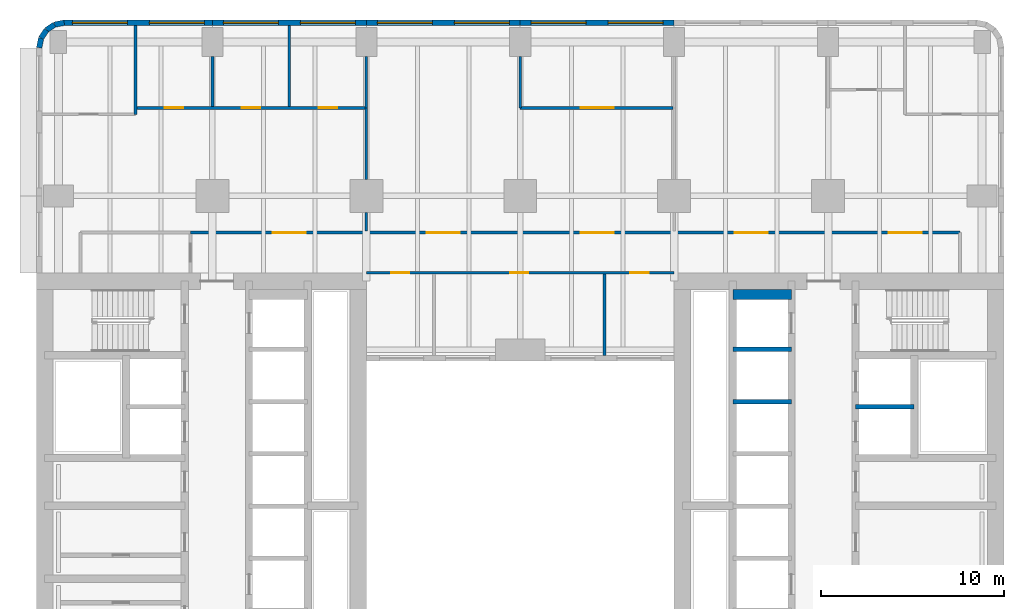
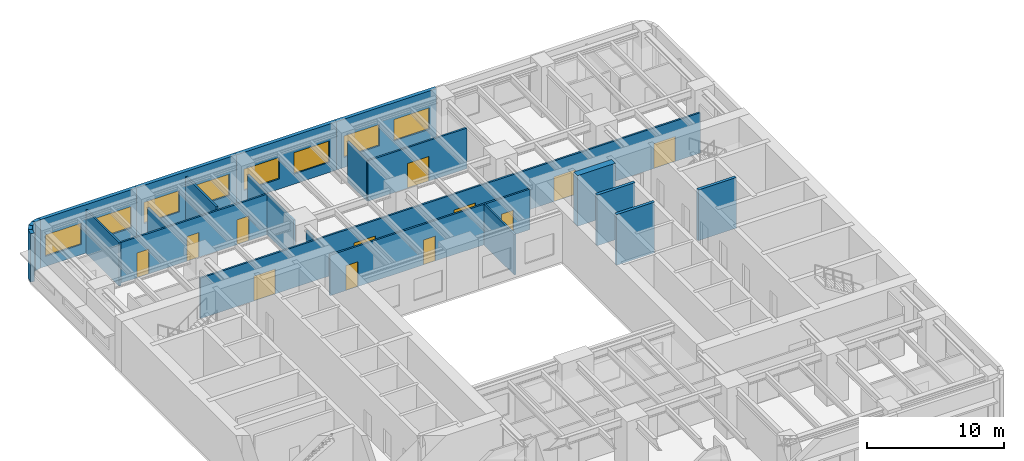
# One storey, part 7 of 13: 24 walls, 12 doors, 8 windows, 20 openings.
"""IFC4 building model written with IfcOpenShell, lengths in metres."""

from ifc_helpers import new_model, si_unit, direction, frame, frame_2d, origin, place, context, subcontext, project, spatial, rectangle, extrude, material, layer, layer_set, type_object, element, fill, save


model = new_model("IFC4")

# Units and contexts
model_context = context("Model", 3, precision=1e-05, world=origin(), true_north=direction((0.0, 1.0)))
body_context = subcontext(model_context, "Body", "Model", "MODEL_VIEW")
ifc_project = project(units=[si_unit("LENGTHUNIT", "METRE"), si_unit("AREAUNIT", "SQUARE_METRE"), si_unit("VOLUMEUNIT", "CUBIC_METRE"), si_unit("PLANEANGLEUNIT", "RADIAN"), si_unit("MASSUNIT", "GRAM", prefix="KILO")], contexts=[model_context])

# Site, building, storey
site_placement = place(None, origin())
site = spatial("IfcSite", under=ifc_project, at=site_placement, CompositionType="ELEMENT")
building_placement = place(site_placement, origin())
building = spatial("IfcBuilding", under=site, at=building_placement, Name="Claustro Exchange Tower", CompositionType="ELEMENT")
storey_placement = place(building_placement, frame((0.0, 0.0, 86.39990234375)))
storey = spatial("IfcBuildingStorey", under=building, at=storey_placement, Name="L19", CompositionType="ELEMENT", Elevation=86.39990234375)

# Wall, openings, doors
ifc_material_1 = material(Name="Gypsum board on steel studs", Category="steel")
ifc_layer_1 = layer(ifc_material_1, 0.14990234375)
ifc_layer_set_1 = layer_set([ifc_layer_1], Name="Gypsum board on steel studs")
wall_type_1 = type_object("IfcWallType", Name="P1 150 plasterboard partition", PredefinedType="PARTITIONING", material=ifc_layer_set_1)
wall_1_placement = place(storey_placement, frame((4.27392578125, 46.800048828125, 0.0), z_axis=(0.0, 0.0, 1.0), x_axis=(1.0, 0.0, 0.0)))
wall_1 = element("IfcWall", 1, at=wall_1_placement, inside=storey, type_object=wall_type_1, Name="Partition P1 L19", PredefinedType="PARTITIONING", context=body_context, shape_type="SweptSolid", body=[
    extrude(rectangle(XDim=12.4521484375, YDim=0.14990234375, at=frame_2d((6.22607421875, 0.0))), origin(), (0.0, 0.0, 1.0), 3.60009765625),
])
opening_1_placement = place(wall_1_placement, frame((1.52587890625, 0.0, 0.0)))
opening_1 = element("IfcOpeningElement", 2, at=opening_1_placement, cuts=wall_1, Name="Opening D1", PredefinedType="OPENING", context=body_context, shape_type="SweptSolid", body=[
    extrude(rectangle(XDim=1.0, YDim=2.199951171875, at=frame_2d((0.5, 1.10009765625))), frame((0.0, 0.0849609375, 0.0), z_axis=(0.0, -1.0, 0.0), x_axis=(1.0, 0.0, 0.0)), (0.0, 0.0, 1.0), 0.169921875),
])
opening_2_placement = place(wall_1_placement, frame((5.72607421875, 0.0, 0.0)))
opening_2 = element("IfcOpeningElement", 3, at=opening_2_placement, cuts=wall_1, Name="Opening D1", PredefinedType="OPENING", context=body_context, shape_type="SweptSolid", body=[
    extrude(rectangle(XDim=1.0, YDim=2.199951171875, at=frame_2d((0.5, 1.10009765625))), frame((0.0, 0.0849609375, 0.0), z_axis=(0.0, -1.0, 0.0), x_axis=(1.0, 0.0, 0.0)), (0.0, 0.0, 1.0), 0.169921875),
])
opening_3_placement = place(wall_1_placement, frame((9.926025390625, 0.0, 0.0)))
opening_3 = element("IfcOpeningElement", 4, at=opening_3_placement, cuts=wall_1, Name="Opening D1", PredefinedType="OPENING", context=body_context, shape_type="SweptSolid", body=[
    extrude(rectangle(XDim=1.0, YDim=2.199951171875, at=frame_2d((0.5, 1.10009765625))), frame((0.0, 0.0849609375, 0.0), z_axis=(0.0, -1.0, 0.0), x_axis=(1.0, 0.0, 0.0)), (0.0, 0.0, 1.0), 0.169921875),
])
ifc_material_2 = material(Name="Timber door, oak veneer", Category="wood")
door_type_1 = type_object("IfcDoorType", Name="D1 1000 x 2200 single door", OperationType="SINGLE_SWING_LEFT", PredefinedType="DOOR", material=ifc_material_2)
door_1_placement = place(opening_1_placement, origin())
door_1 = element("IfcDoor", 5, at=door_1_placement, inside=storey, type_object=door_type_1, Name="Door D1 L19", OperationType="SINGLE_SWING_LEFT", OverallHeight=2.199951171875, OverallWidth=1.0, PredefinedType="DOOR", context=body_context, shape_type="SweptSolid", body=[
    extrude(rectangle(XDim=1.0, YDim=2.199951171875, at=frame_2d((0.5, 1.10009765625))), frame((0.0, 0.02490234375, 0.0), z_axis=(0.0, -1.0, 0.0), x_axis=(1.0, 0.0, 0.0)), (0.0, 0.0, 1.0), 0.050048828125),
])
fill(opening_1, door_1)
door_2_placement = place(opening_2_placement, origin())
door_2 = element("IfcDoor", 6, at=door_2_placement, inside=storey, type_object=door_type_1, Name="Door D1 L19", OperationType="SINGLE_SWING_LEFT", OverallHeight=2.199951171875, OverallWidth=1.0, PredefinedType="DOOR", context=body_context, shape_type="SweptSolid", body=[
    extrude(rectangle(XDim=1.0, YDim=2.199951171875, at=frame_2d((0.5, 1.10009765625))), frame((0.0, 0.02490234375, 0.0), z_axis=(0.0, -1.0, 0.0), x_axis=(1.0, 0.0, 0.0)), (0.0, 0.0, 1.0), 0.050048828125),
])
fill(opening_2, door_2)
door_3_placement = place(opening_3_placement, origin())
door_3 = element("IfcDoor", 7, at=door_3_placement, inside=storey, type_object=door_type_1, Name="Door D1 L19", OperationType="SINGLE_SWING_LEFT", OverallHeight=2.199951171875, OverallWidth=1.0, PredefinedType="DOOR", context=body_context, shape_type="SweptSolid", body=[
    extrude(rectangle(XDim=1.0, YDim=2.199951171875, at=frame_2d((0.5, 1.10009765625))), frame((0.0, 0.02490234375, 0.0), z_axis=(0.0, -1.0, 0.0), x_axis=(1.0, 0.0, 0.0)), (0.0, 0.0, 1.0), 0.050048828125),
])
fill(opening_3, door_3)

# Walls
wall_2_placement = place(storey_placement, frame((4.199951171875, 46.449951171875, 0.0), z_axis=(0.0, 0.0, 1.0), x_axis=(0.0, 1.0, 0.0)))
element("IfcWall", 8, at=wall_2_placement, inside=storey, type_object=wall_type_1, Name="Partition P1 L19", PredefinedType="PARTITIONING", context=body_context, shape_type="SweptSolid", body=[
    extrude(rectangle(XDim=4.85205078125, YDim=0.14990234375, at=frame_2d((2.426025390625, 0.0))), origin(), (0.0, 0.0, 1.0), 3.85400390625),
])
wall_3_placement = place(storey_placement, frame((8.39990234375, 46.8740234375, 0.0), z_axis=(0.0, 0.0, 1.0), x_axis=(0.0, 1.0, 0.0)))
element("IfcWall", 9, at=wall_3_placement, inside=storey, type_object=wall_type_1, Name="Partition P1 L19", PredefinedType="PARTITIONING", context=body_context, shape_type="SweptSolid", body=[
    extrude(rectangle(XDim=2.72705078125, YDim=0.14990234375, at=frame_2d((1.363525390625, 0.0))), origin(), (0.0, 0.0, 1.0), 3.60009765625),
])
wall_4_placement = place(storey_placement, frame((12.60009765625, 46.8740234375, 0.0), z_axis=(0.0, 0.0, 1.0), x_axis=(0.0, 1.0, 0.0)))
element("IfcWall", 10, at=wall_4_placement, inside=storey, type_object=wall_type_1, Name="Partition P1 L19", PredefinedType="PARTITIONING", context=body_context, shape_type="SweptSolid", body=[
    extrude(rectangle(XDim=4.427978515625, YDim=0.14990234375, at=frame_2d((2.2138671875, 0.0))), origin(), (0.0, 0.0, 1.0), 3.85400390625),
])
wall_5_placement = place(storey_placement, frame((16.800048828125, 46.798095703125, 0.0), z_axis=(0.0, 0.0, 1.0), x_axis=(0.0, 1.0, 0.0)))
element("IfcWall", 11, at=wall_5_placement, inside=storey, type_object=wall_type_1, Name="Partition P1 L19", PredefinedType="PARTITIONING", context=body_context, shape_type="SweptSolid", body=[
    extrude(rectangle(XDim=2.802978515625, YDim=0.14990234375, at=frame_2d((1.4013671875, 0.0))), origin(), (0.0, 0.0, 1.0), 3.60009765625),
])

# Wall, opening, door
wall_6_placement = place(storey_placement, frame((25.199951171875, 46.800048828125, 0.0), z_axis=(0.0, 0.0, 1.0), x_axis=(1.0, 0.0, 0.0)))
wall_6 = element("IfcWall", 12, at=wall_6_placement, inside=storey, type_object=wall_type_1, Name="Partition P1 L19", PredefinedType="PARTITIONING", context=body_context, shape_type="SweptSolid", body=[
    extrude(rectangle(XDim=8.325927734375, YDim=0.14990234375, at=frame_2d((4.1630859375, 0.0))), origin(), (0.0, 0.0, 1.0), 3.60009765625),
])
opening_4_placement = place(wall_6_placement, frame((3.300048828125, 0.0, 0.0)))
opening_4 = element("IfcOpeningElement", 13, at=opening_4_placement, cuts=wall_6, Name="Opening D2", PredefinedType="OPENING", context=body_context, shape_type="SweptSolid", body=[
    extrude(rectangle(XDim=1.800048828125, YDim=2.199951171875, at=frame_2d((0.89990234375, 1.10009765625))), frame((0.0, 0.0849609375, 0.0), z_axis=(0.0, -1.0, 0.0), x_axis=(1.0, 0.0, 0.0)), (0.0, 0.0, 1.0), 0.169921875),
])
ifc_material_3 = material(Name="Timber door, oak veneer", Category="wood")
door_type_2 = type_object("IfcDoorType", Name="D2 1800 x 2200 double door", OperationType="DOUBLE_DOOR_SINGLE_SWING", PredefinedType="DOOR", material=ifc_material_3)
door_4_placement = place(opening_4_placement, origin())
door_4 = element("IfcDoor", 14, at=door_4_placement, inside=storey, type_object=door_type_2, Name="Double door D2 L19", OperationType="DOUBLE_DOOR_SINGLE_SWING", OverallHeight=2.199951171875, OverallWidth=1.800048828125, PredefinedType="DOOR", context=body_context, shape_type="SweptSolid", body=[
    extrude(rectangle(XDim=1.800048828125, YDim=2.199951171875, at=frame_2d((0.89990234375, 1.10009765625))), frame((0.0, 0.02490234375, 0.0), z_axis=(0.0, -1.0, 0.0), x_axis=(1.0, 0.0, 0.0)), (0.0, 0.0, 1.0), 0.050048828125),
])
fill(opening_4, door_4)

# Walls
wall_7_placement = place(storey_placement, frame((25.199951171875, 46.800048828125, 0.0), z_axis=(0.0, 0.0, 1.0), x_axis=(0.0, 1.0, 0.0)))
element("IfcWall", 15, at=wall_7_placement, inside=storey, type_object=wall_type_1, Name="Partition P1 L19", PredefinedType="PARTITIONING", context=body_context, shape_type="SweptSolid", body=[
    extrude(rectangle(XDim=2.801025390625, YDim=0.14990234375, at=frame_2d((1.400390625, 0.0))), origin(), (0.0, 0.0, 1.0), 3.60009765625),
])
wall_8_placement = place(storey_placement, frame((16.800048828125, 40.073974609375, 0.0), z_axis=(0.0, 0.0, 1.0), x_axis=(0.0, 1.0, 0.0)))
element("IfcWall", 16, at=wall_8_placement, inside=storey, type_object=wall_type_1, Name="Partition P1 L19", PredefinedType="PARTITIONING", context=body_context, shape_type="SweptSolid", body=[
    extrude(rectangle(XDim=1.027099609375, YDim=0.14990234375, at=frame_2d((0.513671875, 0.0))), origin(), (0.0, 0.0, 1.0), 3.80419921875),
])
wall_9_placement = place(storey_placement, frame((16.800048828125, 42.89892578125, 0.0), z_axis=(0.0, 0.0, 1.0), x_axis=(0.0, 1.0, 0.0)))
element("IfcWall", 17, at=wall_9_placement, inside=storey, type_object=wall_type_1, Name="Partition P1 L19", PredefinedType="PARTITIONING", context=body_context, shape_type="SweptSolid", body=[
    extrude(rectangle(XDim=3.903076171875, YDim=0.14990234375, at=frame_2d((1.95166015625, 0.0))), origin(), (0.0, 0.0, 1.0), 3.60009765625),
])

# Wall, openings, doors
wall_10_placement = place(storey_placement, frame((7.197998046875, 40.0, 0.0), z_axis=(0.0, 0.0, 1.0), x_axis=(1.0, 0.0, 0.0)))
wall_10 = element("IfcWall", 18, at=wall_10_placement, inside=storey, type_object=wall_type_1, Name="Partition P1 L19", PredefinedType="PARTITIONING", context=body_context, shape_type="SweptSolid", body=[
    extrude(rectangle(XDim=42.001953125, YDim=0.14990234375, at=frame_2d((21.0009765625, 0.0))), origin(), (0.0, 0.0, 1.0), 3.60009765625),
])
opening_5_placement = place(wall_10_placement, frame((4.501953125, 0.0, 0.0)))
opening_5 = element("IfcOpeningElement", 19, at=opening_5_placement, cuts=wall_10, Name="Opening D2", PredefinedType="OPENING", context=body_context, shape_type="SweptSolid", body=[
    extrude(rectangle(XDim=1.800048828125, YDim=2.199951171875, at=frame_2d((0.89990234375, 1.10009765625))), frame((0.0, 0.0849609375, 0.0), z_axis=(0.0, -1.0, 0.0), x_axis=(1.0, 0.0, 0.0)), (0.0, 0.0, 1.0), 0.169921875),
])
opening_6_placement = place(wall_10_placement, frame((12.902099609375, 0.0, 0.0)))
opening_6 = element("IfcOpeningElement", 20, at=opening_6_placement, cuts=wall_10, Name="Opening D2", PredefinedType="OPENING", context=body_context, shape_type="SweptSolid", body=[
    extrude(rectangle(XDim=1.800048828125, YDim=2.199951171875, at=frame_2d((0.89990234375, 1.10009765625))), frame((0.0, 0.0849609375, 0.0), z_axis=(0.0, -1.0, 0.0), x_axis=(1.0, 0.0, 0.0)), (0.0, 0.0, 1.0), 0.169921875),
])
opening_7_placement = place(wall_10_placement, frame((21.302001953125, 0.0, 0.0)))
opening_7 = element("IfcOpeningElement", 21, at=opening_7_placement, cuts=wall_10, Name="Opening D2", PredefinedType="OPENING", context=body_context, shape_type="SweptSolid", body=[
    extrude(rectangle(XDim=1.800048828125, YDim=2.199951171875, at=frame_2d((0.89990234375, 1.10009765625))), frame((0.0, 0.0849609375, 0.0), z_axis=(0.0, -1.0, 0.0), x_axis=(1.0, 0.0, 0.0)), (0.0, 0.0, 1.0), 0.169921875),
])
opening_8_placement = place(wall_10_placement, frame((29.701904296875, 0.0, 0.0)))
opening_8 = element("IfcOpeningElement", 22, at=opening_8_placement, cuts=wall_10, Name="Opening D2", PredefinedType="OPENING", context=body_context, shape_type="SweptSolid", body=[
    extrude(rectangle(XDim=1.800048828125, YDim=2.199951171875, at=frame_2d((0.89990234375, 1.10009765625))), frame((0.0, 0.0849609375, 0.0), z_axis=(0.0, -1.0, 0.0), x_axis=(1.0, 0.0, 0.0)), (0.0, 0.0, 1.0), 0.169921875),
])
opening_9_placement = place(wall_10_placement, frame((38.10205078125, 0.0, 0.0)))
opening_9 = element("IfcOpeningElement", 23, at=opening_9_placement, cuts=wall_10, Name="Opening D2", PredefinedType="OPENING", context=body_context, shape_type="SweptSolid", body=[
    extrude(rectangle(XDim=1.800048828125, YDim=2.199951171875, at=frame_2d((0.89990234375, 1.10009765625))), frame((0.0, 0.0849609375, 0.0), z_axis=(0.0, -1.0, 0.0), x_axis=(1.0, 0.0, 0.0)), (0.0, 0.0, 1.0), 0.169921875),
])
door_5_placement = place(opening_5_placement, origin())
door_5 = element("IfcDoor", 24, at=door_5_placement, inside=storey, type_object=door_type_2, Name="Double door D2 L19", OperationType="DOUBLE_DOOR_SINGLE_SWING", OverallHeight=2.199951171875, OverallWidth=1.800048828125, PredefinedType="DOOR", context=body_context, shape_type="SweptSolid", body=[
    extrude(rectangle(XDim=1.800048828125, YDim=2.199951171875, at=frame_2d((0.89990234375, 1.10009765625))), frame((0.0, 0.02490234375, 0.0), z_axis=(0.0, -1.0, 0.0), x_axis=(1.0, 0.0, 0.0)), (0.0, 0.0, 1.0), 0.050048828125),
])
fill(opening_5, door_5)
door_6_placement = place(opening_6_placement, origin())
door_6 = element("IfcDoor", 25, at=door_6_placement, inside=storey, type_object=door_type_2, Name="Double door D2 L19", OperationType="DOUBLE_DOOR_SINGLE_SWING", OverallHeight=2.199951171875, OverallWidth=1.800048828125, PredefinedType="DOOR", context=body_context, shape_type="SweptSolid", body=[
    extrude(rectangle(XDim=1.800048828125, YDim=2.199951171875, at=frame_2d((0.89990234375, 1.10009765625))), frame((0.0, 0.02490234375, 0.0), z_axis=(0.0, -1.0, 0.0), x_axis=(1.0, 0.0, 0.0)), (0.0, 0.0, 1.0), 0.050048828125),
])
fill(opening_6, door_6)
door_7_placement = place(opening_7_placement, origin())
door_7 = element("IfcDoor", 26, at=door_7_placement, inside=storey, type_object=door_type_2, Name="Double door D2 L19", OperationType="DOUBLE_DOOR_SINGLE_SWING", OverallHeight=2.199951171875, OverallWidth=1.800048828125, PredefinedType="DOOR", context=body_context, shape_type="SweptSolid", body=[
    extrude(rectangle(XDim=1.800048828125, YDim=2.199951171875, at=frame_2d((0.89990234375, 1.10009765625))), frame((0.0, 0.02490234375, 0.0), z_axis=(0.0, -1.0, 0.0), x_axis=(1.0, 0.0, 0.0)), (0.0, 0.0, 1.0), 0.050048828125),
])
fill(opening_7, door_7)
door_8_placement = place(opening_8_placement, origin())
door_8 = element("IfcDoor", 27, at=door_8_placement, inside=storey, type_object=door_type_2, Name="Double door D2 L19", OperationType="DOUBLE_DOOR_SINGLE_SWING", OverallHeight=2.199951171875, OverallWidth=1.800048828125, PredefinedType="DOOR", context=body_context, shape_type="SweptSolid", body=[
    extrude(rectangle(XDim=1.800048828125, YDim=2.199951171875, at=frame_2d((0.89990234375, 1.10009765625))), frame((0.0, 0.02490234375, 0.0), z_axis=(0.0, -1.0, 0.0), x_axis=(1.0, 0.0, 0.0)), (0.0, 0.0, 1.0), 0.050048828125),
])
fill(opening_8, door_8)
door_9_placement = place(opening_9_placement, origin())
door_9 = element("IfcDoor", 28, at=door_9_placement, inside=storey, type_object=door_type_2, Name="Double door D2 L19", OperationType="DOUBLE_DOOR_SINGLE_SWING", OverallHeight=2.199951171875, OverallWidth=1.800048828125, PredefinedType="DOOR", context=body_context, shape_type="SweptSolid", body=[
    extrude(rectangle(XDim=1.800048828125, YDim=2.199951171875, at=frame_2d((0.89990234375, 1.10009765625))), frame((0.0, 0.02490234375, 0.0), z_axis=(0.0, -1.0, 0.0), x_axis=(1.0, 0.0, 0.0)), (0.0, 0.0, 1.0), 0.050048828125),
])
fill(opening_9, door_9)

# Wall
wall_11_placement = place(storey_placement, frame((29.800048828125, 33.298095703125, 0.0), z_axis=(0.0, 0.0, 1.0), x_axis=(0.0, 1.0, 0.0)))
element("IfcWall", 29, at=wall_11_placement, inside=storey, type_object=wall_type_1, Name="Partition P1 L19", PredefinedType="PARTITIONING", context=body_context, shape_type="SweptSolid", body=[
    extrude(rectangle(XDim=4.427978515625, YDim=0.14990234375, at=frame_2d((2.2138671875, 0.0))), origin(), (0.0, 0.0, 1.0), 3.610107421875),
])

# Wall, openings, doors
wall_12_placement = place(storey_placement, frame((16.798095703125, 37.800048828125, 0.0), z_axis=(0.0, 0.0, 1.0), x_axis=(1.0, 0.0, 0.0)))
wall_12 = element("IfcWall", 30, at=wall_12_placement, inside=storey, type_object=wall_type_1, Name="Partition P1 L19", PredefinedType="PARTITIONING", context=body_context, shape_type="SweptSolid", body=[
    extrude(rectangle(XDim=16.803955078125, YDim=0.14990234375, at=frame_2d((8.40185546875, 0.0))), origin(), (0.0, 0.0, 1.0), 3.60009765625),
])
opening_10_placement = place(wall_12_placement, frame((1.35205078125, 0.0, 0.0)))
opening_10 = element("IfcOpeningElement", 31, at=opening_10_placement, cuts=wall_12, Name="Opening D1", PredefinedType="OPENING", context=body_context, shape_type="SweptSolid", body=[
    extrude(rectangle(XDim=1.0, YDim=2.199951171875, at=frame_2d((0.5, 1.10009765625))), frame((0.0, 0.0849609375, 0.0), z_axis=(0.0, -1.0, 0.0), x_axis=(1.0, 0.0, 0.0)), (0.0, 0.0, 1.0), 0.169921875),
])
opening_11_placement = place(wall_12_placement, frame((7.85205078125, 0.0, 0.0)))
opening_11 = element("IfcOpeningElement", 32, at=opening_11_placement, cuts=wall_12, Name="Opening D1", PredefinedType="OPENING", context=body_context, shape_type="SweptSolid", body=[
    extrude(rectangle(XDim=1.0, YDim=2.199951171875, at=frame_2d((0.5, 1.10009765625))), frame((0.0, 0.0849609375, 0.0), z_axis=(0.0, -1.0, 0.0), x_axis=(1.0, 0.0, 0.0)), (0.0, 0.0, 1.0), 0.169921875),
])
opening_12_placement = place(wall_12_placement, frame((14.402099609375, 0.0, 0.0)))
opening_12 = element("IfcOpeningElement", 33, at=opening_12_placement, cuts=wall_12, Name="Opening D1", PredefinedType="OPENING", context=body_context, shape_type="SweptSolid", body=[
    extrude(rectangle(XDim=1.0, YDim=2.199951171875, at=frame_2d((0.5, 1.10009765625))), frame((0.0, 0.0849609375, 0.0), z_axis=(0.0, -1.0, 0.0), x_axis=(1.0, 0.0, 0.0)), (0.0, 0.0, 1.0), 0.169921875),
])
door_10_placement = place(opening_10_placement, frame((1.0, 0.0, 0.0), z_axis=(0.0, 0.0, 1.0), x_axis=(-1.0, 0.0, 0.0)))
door_10 = element("IfcDoor", 34, at=door_10_placement, inside=storey, type_object=door_type_1, Name="Door D1 L19", OperationType="SINGLE_SWING_RIGHT", OverallHeight=2.199951171875, OverallWidth=1.0, PredefinedType="DOOR", context=body_context, shape_type="SweptSolid", body=[
    extrude(rectangle(XDim=1.0, YDim=2.199951171875, at=frame_2d((0.5, 1.10009765625))), frame((0.0, 0.02490234375, 0.0), z_axis=(0.0, -1.0, 0.0), x_axis=(1.0, 0.0, 0.0)), (0.0, 0.0, 1.0), 0.050048828125),
])
fill(opening_10, door_10)
door_11_placement = place(opening_11_placement, frame((1.0, 0.0, 0.0), z_axis=(0.0, 0.0, 1.0), x_axis=(-1.0, 0.0, 0.0)))
door_11 = element("IfcDoor", 35, at=door_11_placement, inside=storey, type_object=door_type_1, Name="Door D1 L19", OperationType="SINGLE_SWING_RIGHT", OverallHeight=2.199951171875, OverallWidth=1.0, PredefinedType="DOOR", context=body_context, shape_type="SweptSolid", body=[
    extrude(rectangle(XDim=1.0, YDim=2.199951171875, at=frame_2d((0.5, 1.10009765625))), frame((0.0, 0.02490234375, 0.0), z_axis=(0.0, -1.0, 0.0), x_axis=(1.0, 0.0, 0.0)), (0.0, 0.0, 1.0), 0.050048828125),
])
fill(opening_11, door_11)
door_12_placement = place(opening_12_placement, frame((1.0, 0.0, 0.0), z_axis=(0.0, 0.0, 1.0), x_axis=(-1.0, 0.0, 0.0)))
door_12 = element("IfcDoor", 36, at=door_12_placement, inside=storey, type_object=door_type_1, Name="Door D1 L19", OperationType="SINGLE_SWING_RIGHT", OverallHeight=2.199951171875, OverallWidth=1.0, PredefinedType="DOOR", context=body_context, shape_type="SweptSolid", body=[
    extrude(rectangle(XDim=1.0, YDim=2.199951171875, at=frame_2d((0.5, 1.10009765625))), frame((0.0, 0.02490234375, 0.0), z_axis=(0.0, -1.0, 0.0), x_axis=(1.0, 0.0, 0.0)), (0.0, 0.0, 1.0), 0.050048828125),
])
fill(opening_12, door_12)

# Walls
ifc_material_4 = material(Name="Concrete HA-40 (C40/50), precast, white cement, acid-etched", Category="concrete")
ifc_layer_2 = layer(ifc_material_4, 0.300048828125)
ifc_layer_set_2 = layer_set([ifc_layer_2], Name="Concrete HA-40 (C40/50), precast, white cement, acid-etched")
wall_type_2 = type_object("IfcWallType", Name="PC1 300 precast concrete pier panel", PredefinedType="SOLIDWALL", material=ifc_layer_set_2)
wall_13_placement = place(storey_placement, frame((-1.050048828125, 50.085205078125, 0.0), z_axis=(0.0, 0.0, 1.0), x_axis=(0.195073962632, 0.980788534345, 0.0)))
element("IfcWall", 37, at=wall_13_placement, inside=storey, type_object=wall_type_2, Name="Precast pier panel PC1 L19", PredefinedType="SOLIDWALL", context=body_context, shape_type="SweptSolid", body=[
    extrude(rectangle(XDim=0.540771484375, YDim=0.300048828125, at=frame_2d((0.2705078125, 0.0))), origin(), (0.0, 0.0, 1.0), 4.300048828125),
])
for number, where, z_axis, x_axis, name in (
    (38, (-0.944580078125, 50.615478515625, 0.0), (0.0, 0.0, 1.0), (0.555557463938, 0.831478144188, 0.0), "Precast pier panel PC1 L19"),
    (39, (-0.652587890625, 51.052490234375, 0.0), (0.0, 0.0, 1.0), (0.831478144188, 0.555557463938, 0.0), "Precast pier panel PC1 L19"),
):
    element("IfcWall", number, at=place(storey_placement, frame(where, z_axis=z_axis, x_axis=x_axis)), inside=storey, type_object=wall_type_2, Name=name, PredefinedType="SOLIDWALL", context=body_context, shape_type="SweptSolid", body=[
        extrude(rectangle(XDim=0.525634765625, YDim=0.300048828125, at=frame_2d((0.2626953125, 0.0))), origin(), (0.0, 0.0, 1.0), 4.300048828125),
    ])
wall_14_placement = place(storey_placement, frame((-0.215576171875, 51.344482421875, 0.0), z_axis=(0.0, 0.0, 1.0), x_axis=(0.980788534345, 0.195073962632, 0.0)))
element("IfcWall", 40, at=wall_14_placement, inside=storey, type_object=wall_type_2, Name="Precast pier panel PC1 L19", PredefinedType="SOLIDWALL", context=body_context, shape_type="SweptSolid", body=[
    extrude(rectangle(XDim=0.540771484375, YDim=0.300048828125, at=frame_2d((0.2705078125, 0.0))), origin(), (0.0, 0.0, 1.0), 4.300048828125),
])

# Wall, openings, windows
wall_15_placement = place(storey_placement, frame((0.314697265625, 51.449951171875, 0.0), z_axis=(0.0, 0.0, 1.0), x_axis=(1.0, 0.0, 0.0)))
wall_15 = element("IfcWall", 41, at=wall_15_placement, inside=storey, type_object=wall_type_2, Name="Precast pier panel PC1 L19", PredefinedType="SOLIDWALL", context=body_context, shape_type="SweptSolid", body=[
    extrude(rectangle(XDim=8.085205078125, YDim=0.300048828125, at=frame_2d((4.04248046875, 0.0))), origin(), (0.0, 0.0, 1.0), 4.300048828125),
])
opening_13_placement = place(wall_15_placement, frame((0.442626953125, 0.0, 0.89990234375)))
opening_13 = element("IfcOpeningElement", 42, at=opening_13_placement, cuts=wall_15, Name="Opening W1", PredefinedType="OPENING", context=body_context, shape_type="SweptSolid", body=[
    extrude(rectangle(XDim=3.0, YDim=1.89990234375, at=frame_2d((1.5, 0.949951171875))), frame((0.0, 0.159912109375, 0.0), z_axis=(0.0, -1.0, 0.0), x_axis=(1.0, 0.0, 0.0)), (0.0, 0.0, 1.0), 0.320068359375),
])
opening_14_placement = place(wall_15_placement, frame((4.642578125, 0.0, 0.89990234375)))
opening_14 = element("IfcOpeningElement", 43, at=opening_14_placement, cuts=wall_15, Name="Opening W1", PredefinedType="OPENING", context=body_context, shape_type="SweptSolid", body=[
    extrude(rectangle(XDim=3.0, YDim=1.89990234375, at=frame_2d((1.5, 0.949951171875))), frame((0.0, 0.159912109375, 0.0), z_axis=(0.0, -1.0, 0.0), x_axis=(1.0, 0.0, 0.0)), (0.0, 0.0, 1.0), 0.320068359375),
])
ifc_material_5 = material(Name="Aluminium frame, clear double glazing", Category="aluminium")
window_type = type_object("IfcWindowType", Name="W1 3000 x 1900 window", PartitioningType="SINGLE_PANEL", PredefinedType="WINDOW", material=ifc_material_5)
window_1_placement = place(opening_13_placement, origin())
window_1 = element("IfcWindow", 44, at=window_1_placement, inside=storey, type_object=window_type, Name="Window W1 L19", OverallHeight=1.89990234375, OverallWidth=3.0, PartitioningType="SINGLE_PANEL", PredefinedType="WINDOW", context=body_context, shape_type="SweptSolid", body=[
    extrude(rectangle(XDim=3.0, YDim=1.89990234375, at=frame_2d((1.5, 0.949951171875))), frame((0.0, 0.030029296875, 0.0), z_axis=(0.0, -1.0, 0.0), x_axis=(1.0, 0.0, 0.0)), (0.0, 0.0, 1.0), 0.06005859375),
])
fill(opening_13, window_1)
window_2_placement = place(opening_14_placement, origin())
window_2 = element("IfcWindow", 45, at=window_2_placement, inside=storey, type_object=window_type, Name="Window W1 L19", OverallHeight=1.89990234375, OverallWidth=3.0, PartitioningType="SINGLE_PANEL", PredefinedType="WINDOW", context=body_context, shape_type="SweptSolid", body=[
    extrude(rectangle(XDim=3.0, YDim=1.89990234375, at=frame_2d((1.5, 0.949951171875))), frame((0.0, 0.030029296875, 0.0), z_axis=(0.0, -1.0, 0.0), x_axis=(1.0, 0.0, 0.0)), (0.0, 0.0, 1.0), 0.06005859375),
])
fill(opening_14, window_2)

wall_16_placement = place(storey_placement, frame((8.39990234375, 51.449951171875, 0.0), z_axis=(0.0, 0.0, 1.0), x_axis=(1.0, 0.0, 0.0)))
wall_16 = element("IfcWall", 46, at=wall_16_placement, inside=storey, type_object=wall_type_2, Name="Precast pier panel PC1 L19", PredefinedType="SOLIDWALL", context=body_context, shape_type="SweptSolid", body=[
    extrude(rectangle(XDim=8.400146484375, YDim=0.300048828125, at=frame_2d((4.2001953125, 0.0))), origin(), (0.0, 0.0, 1.0), 4.300048828125),
])
opening_15_placement = place(wall_16_placement, frame((0.60009765625, 0.0, 0.89990234375)))
opening_15 = element("IfcOpeningElement", 47, at=opening_15_placement, cuts=wall_16, Name="Opening W1", PredefinedType="OPENING", context=body_context, shape_type="SweptSolid", body=[
    extrude(rectangle(XDim=3.0, YDim=1.89990234375, at=frame_2d((1.5, 0.949951171875))), frame((0.0, 0.159912109375, 0.0), z_axis=(0.0, -1.0, 0.0), x_axis=(1.0, 0.0, 0.0)), (0.0, 0.0, 1.0), 0.320068359375),
])
opening_16_placement = place(wall_16_placement, frame((4.800048828125, 0.0, 0.89990234375)))
opening_16 = element("IfcOpeningElement", 48, at=opening_16_placement, cuts=wall_16, Name="Opening W1", PredefinedType="OPENING", context=body_context, shape_type="SweptSolid", body=[
    extrude(rectangle(XDim=3.0, YDim=1.89990234375, at=frame_2d((1.5, 0.949951171875))), frame((0.0, 0.159912109375, 0.0), z_axis=(0.0, -1.0, 0.0), x_axis=(1.0, 0.0, 0.0)), (0.0, 0.0, 1.0), 0.320068359375),
])
window_3_placement = place(opening_15_placement, origin())
window_3 = element("IfcWindow", 49, at=window_3_placement, inside=storey, type_object=window_type, Name="Window W1 L19", OverallHeight=1.89990234375, OverallWidth=3.0, PartitioningType="SINGLE_PANEL", PredefinedType="WINDOW", context=body_context, shape_type="SweptSolid", body=[
    extrude(rectangle(XDim=3.0, YDim=1.89990234375, at=frame_2d((1.5, 0.949951171875))), frame((0.0, 0.030029296875, 0.0), z_axis=(0.0, -1.0, 0.0), x_axis=(1.0, 0.0, 0.0)), (0.0, 0.0, 1.0), 0.06005859375),
])
fill(opening_15, window_3)
window_4_placement = place(opening_16_placement, origin())
window_4 = element("IfcWindow", 50, at=window_4_placement, inside=storey, type_object=window_type, Name="Window W1 L19", OverallHeight=1.89990234375, OverallWidth=3.0, PartitioningType="SINGLE_PANEL", PredefinedType="WINDOW", context=body_context, shape_type="SweptSolid", body=[
    extrude(rectangle(XDim=3.0, YDim=1.89990234375, at=frame_2d((1.5, 0.949951171875))), frame((0.0, 0.030029296875, 0.0), z_axis=(0.0, -1.0, 0.0), x_axis=(1.0, 0.0, 0.0)), (0.0, 0.0, 1.0), 0.06005859375),
])
fill(opening_16, window_4)

wall_17_placement = place(storey_placement, frame((16.800048828125, 51.449951171875, 0.0), z_axis=(0.0, 0.0, 1.0), x_axis=(1.0, 0.0, 0.0)))
wall_17 = element("IfcWall", 51, at=wall_17_placement, inside=storey, type_object=wall_type_2, Name="Precast pier panel PC1 L19", PredefinedType="SOLIDWALL", context=body_context, shape_type="SweptSolid", body=[
    extrude(rectangle(XDim=8.39990234375, YDim=0.300048828125, at=frame_2d((4.199951171875, 0.0))), origin(), (0.0, 0.0, 1.0), 4.300048828125),
])
opening_17_placement = place(wall_17_placement, frame((0.60009765625, 0.0, 0.89990234375)))
opening_17 = element("IfcOpeningElement", 52, at=opening_17_placement, cuts=wall_17, Name="Opening W1", PredefinedType="OPENING", context=body_context, shape_type="SweptSolid", body=[
    extrude(rectangle(XDim=3.0, YDim=1.89990234375, at=frame_2d((1.5, 0.949951171875))), frame((0.0, 0.159912109375, 0.0), z_axis=(0.0, -1.0, 0.0), x_axis=(1.0, 0.0, 0.0)), (0.0, 0.0, 1.0), 0.320068359375),
])
opening_18_placement = place(wall_17_placement, frame((4.800048828125, 0.0, 0.89990234375)))
opening_18 = element("IfcOpeningElement", 53, at=opening_18_placement, cuts=wall_17, Name="Opening W1", PredefinedType="OPENING", context=body_context, shape_type="SweptSolid", body=[
    extrude(rectangle(XDim=3.0, YDim=1.89990234375, at=frame_2d((1.5, 0.949951171875))), frame((0.0, 0.159912109375, 0.0), z_axis=(0.0, -1.0, 0.0), x_axis=(1.0, 0.0, 0.0)), (0.0, 0.0, 1.0), 0.320068359375),
])
window_5_placement = place(opening_17_placement, origin())
window_5 = element("IfcWindow", 54, at=window_5_placement, inside=storey, type_object=window_type, Name="Window W1 L19", OverallHeight=1.89990234375, OverallWidth=3.0, PartitioningType="SINGLE_PANEL", PredefinedType="WINDOW", context=body_context, shape_type="SweptSolid", body=[
    extrude(rectangle(XDim=3.0, YDim=1.89990234375, at=frame_2d((1.5, 0.949951171875))), frame((0.0, 0.030029296875, 0.0), z_axis=(0.0, -1.0, 0.0), x_axis=(1.0, 0.0, 0.0)), (0.0, 0.0, 1.0), 0.06005859375),
])
fill(opening_17, window_5)
window_6_placement = place(opening_18_placement, origin())
window_6 = element("IfcWindow", 55, at=window_6_placement, inside=storey, type_object=window_type, Name="Window W1 L19", OverallHeight=1.89990234375, OverallWidth=3.0, PartitioningType="SINGLE_PANEL", PredefinedType="WINDOW", context=body_context, shape_type="SweptSolid", body=[
    extrude(rectangle(XDim=3.0, YDim=1.89990234375, at=frame_2d((1.5, 0.949951171875))), frame((0.0, 0.030029296875, 0.0), z_axis=(0.0, -1.0, 0.0), x_axis=(1.0, 0.0, 0.0)), (0.0, 0.0, 1.0), 0.06005859375),
])
fill(opening_18, window_6)

wall_18_placement = place(storey_placement, frame((25.199951171875, 51.449951171875, 0.0), z_axis=(0.0, 0.0, 1.0), x_axis=(1.0, 0.0, 0.0)))
wall_18 = element("IfcWall", 56, at=wall_18_placement, inside=storey, type_object=wall_type_2, Name="Precast pier panel PC1 L19", PredefinedType="SOLIDWALL", context=body_context, shape_type="SweptSolid", body=[
    extrude(rectangle(XDim=8.400146484375, YDim=0.300048828125, at=frame_2d((4.2001953125, 0.0))), origin(), (0.0, 0.0, 1.0), 4.300048828125),
])
opening_19_placement = place(wall_18_placement, frame((0.60009765625, 0.0, 0.89990234375)))
opening_19 = element("IfcOpeningElement", 57, at=opening_19_placement, cuts=wall_18, Name="Opening W1", PredefinedType="OPENING", context=body_context, shape_type="SweptSolid", body=[
    extrude(rectangle(XDim=3.0, YDim=1.89990234375, at=frame_2d((1.5, 0.949951171875))), frame((0.0, 0.159912109375, 0.0), z_axis=(0.0, -1.0, 0.0), x_axis=(1.0, 0.0, 0.0)), (0.0, 0.0, 1.0), 0.320068359375),
])
opening_20_placement = place(wall_18_placement, frame((4.800048828125, 0.0, 0.89990234375)))
opening_20 = element("IfcOpeningElement", 58, at=opening_20_placement, cuts=wall_18, Name="Opening W1", PredefinedType="OPENING", context=body_context, shape_type="SweptSolid", body=[
    extrude(rectangle(XDim=3.0, YDim=1.89990234375, at=frame_2d((1.5, 0.949951171875))), frame((0.0, 0.159912109375, 0.0), z_axis=(0.0, -1.0, 0.0), x_axis=(1.0, 0.0, 0.0)), (0.0, 0.0, 1.0), 0.320068359375),
])
window_7_placement = place(opening_19_placement, origin())
window_7 = element("IfcWindow", 59, at=window_7_placement, inside=storey, type_object=window_type, Name="Window W1 L19", OverallHeight=1.89990234375, OverallWidth=3.0, PartitioningType="SINGLE_PANEL", PredefinedType="WINDOW", context=body_context, shape_type="SweptSolid", body=[
    extrude(rectangle(XDim=3.0, YDim=1.89990234375, at=frame_2d((1.5, 0.949951171875))), frame((0.0, 0.030029296875, 0.0), z_axis=(0.0, -1.0, 0.0), x_axis=(1.0, 0.0, 0.0)), (0.0, 0.0, 1.0), 0.06005859375),
])
fill(opening_19, window_7)
window_8_placement = place(opening_20_placement, origin())
window_8 = element("IfcWindow", 60, at=window_8_placement, inside=storey, type_object=window_type, Name="Window W1 L19", OverallHeight=1.89990234375, OverallWidth=3.0, PartitioningType="SINGLE_PANEL", PredefinedType="WINDOW", context=body_context, shape_type="SweptSolid", body=[
    extrude(rectangle(XDim=3.0, YDim=1.89990234375, at=frame_2d((1.5, 0.949951171875))), frame((0.0, 0.030029296875, 0.0), z_axis=(0.0, -1.0, 0.0), x_axis=(1.0, 0.0, 0.0)), (0.0, 0.0, 1.0), 0.06005859375),
])
fill(opening_20, window_8)

# Walls
ifc_material_6 = material(Name="Concrete HA-50 (C50/60)", Category="concrete")
ifc_layer_3 = layer(ifc_material_6, 0.25)
ifc_layer_set_3 = layer_set([ifc_layer_3], Name="Concrete HA-50 (C50/60)")
wall_type_3 = type_object("IfcWallType", Name="SW5 250 lift shaft divider wall", PredefinedType="SHEAR", material=ifc_layer_set_3)
for number, where, z_axis, x_axis, name in (
    (61, (46.699951171875, 30.5, 0.0), (0.0, 0.0, 1.0), (-1.0, 0.0, 0.0), "Lift shaft wall E core L19"),
    (62, (40.0, 30.77490234375, 0.0), (0.0, 0.0, 1.0), (-1.0, 0.0, 0.0), "Lift shaft wall E core L19"),
    (63, (40.0, 33.625, 0.0), (0.0, 0.0, 1.0), (-1.0, 0.0, 0.0), "Lift shaft wall E core L19"),
):
    element("IfcWall", number, at=place(storey_placement, frame(where, z_axis=z_axis, x_axis=x_axis)), inside=storey, type_object=wall_type_3, Name=name, PredefinedType="SHEAR", context=body_context, shape_type="SweptSolid", body=[
        extrude(rectangle(XDim=3.199951171875, YDim=0.25, at=frame_2d((1.60009765625, 0.0))), origin(), (0.0, 0.0, 1.0), 4.5),
    ])
ifc_material_7 = material(Name="Concrete HA-50 (C50/60)", Category="concrete")
ifc_layer_4 = layer(ifc_material_7, 0.550048828125)
ifc_layer_set_4 = layer_set([ifc_layer_4], Name="Concrete HA-50 (C50/60)")
wall_type_4 = type_object("IfcWallType", Name="SW6 550 lift shaft end wall", PredefinedType="SHEAR", material=ifc_layer_set_4)
wall_19_placement = place(storey_placement, frame((40.0, 36.625, 0.0), z_axis=(0.0, 0.0, 1.0), x_axis=(-1.0, 0.0, 0.0)))
element("IfcWall", 64, at=wall_19_placement, inside=storey, type_object=wall_type_4, Name="Lift shaft wall E core L19", PredefinedType="SHEAR", context=body_context, shape_type="SweptSolid", body=[
    extrude(rectangle(XDim=3.199951171875, YDim=0.550048828125, at=frame_2d((1.60009765625, 0.0))), origin(), (0.0, 0.0, 1.0), 4.5),
])

save(model, "model.ifc")
